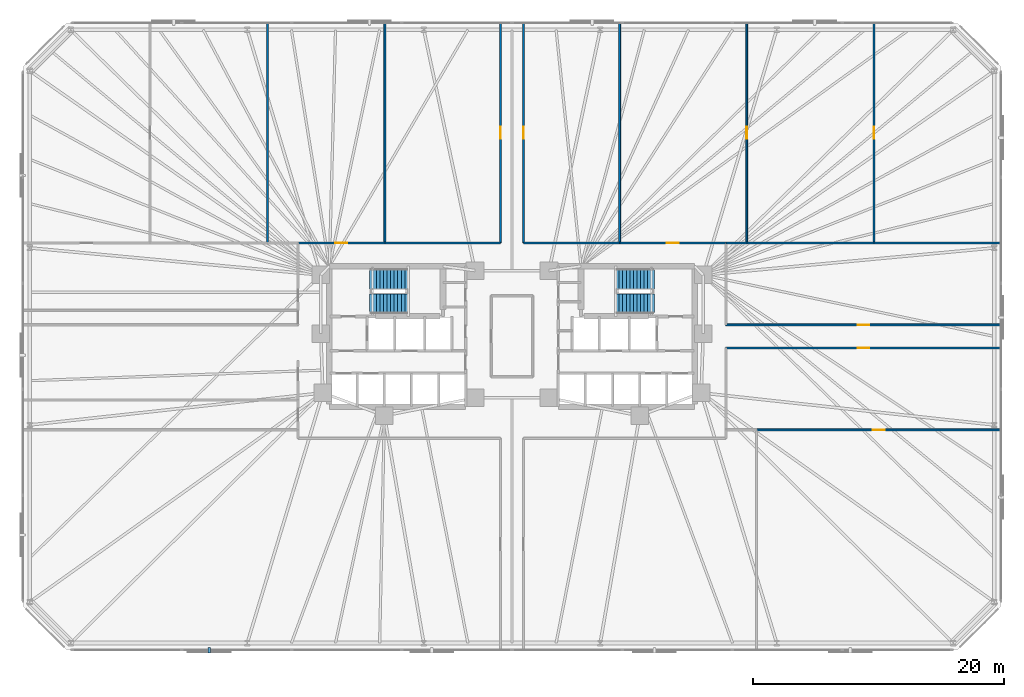
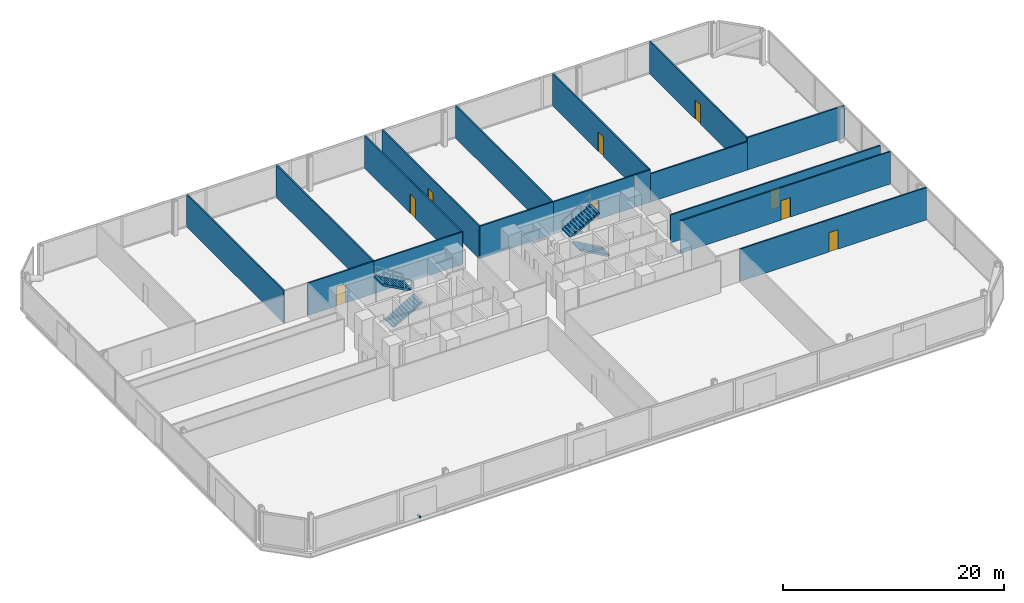
# One storey, part 14 of 16: 17 walls, 9 doors, 4 stair flights, 1 discrete accessory, 9 openings, 2 elements without a shape of their own.
"""IFC4 building model written with IfcOpenShell, lengths in metres."""

from ifc_helpers import new_model, si_unit, direction, frame, frame_2d, origin, origin_2d, place, context, subcontext, project, spatial, polyline, rectangle, outline, extrude, material, layer, layer_set, type_object, element, fill, aggregate, save


model = new_model("IFC4")

# Units and contexts
model_context = context("Model", 3, precision=1e-05, world=origin(), true_north=direction((0.0, 1.0)))
body_context = subcontext(model_context, "Body", "Model", "MODEL_VIEW")
ifc_project = project(units=[si_unit("LENGTHUNIT", "METRE"), si_unit("AREAUNIT", "SQUARE_METRE"), si_unit("VOLUMEUNIT", "CUBIC_METRE"), si_unit("PLANEANGLEUNIT", "RADIAN"), si_unit("MASSUNIT", "GRAM", prefix="KILO")], contexts=[model_context])

# Site, building, storey
site_placement = place(None, origin())
site = spatial("IfcSite", under=ifc_project, at=site_placement, CompositionType="ELEMENT")
building_placement = place(site_placement, origin())
building = spatial("IfcBuilding", under=site, at=building_placement, Name="Menara Jurai Vektor", CompositionType="ELEMENT")
storey_placement = place(building_placement, frame((0.0, 0.0, 33.199951171875)))
storey = spatial("IfcBuildingStorey", under=building, at=storey_placement, Name="L07", CompositionType="ELEMENT", Elevation=33.199951171875)

# Wall, opening, door
ifc_material_1 = material(Name="Gypsum Fireboard Partition", Category="gypsum")
ifc_layer_1 = layer(ifc_material_1, 0.14990234375)
ifc_layer_set_1 = layer_set([ifc_layer_1], Name="Gypsum Fireboard Partition")
wall_type_1 = type_object("IfcWallType", Name="INT-WALL-CORR-150", PredefinedType="PARTITIONING", material=ifc_layer_set_1)
wall_1_placement = place(storey_placement, frame((-17.05908203125, 7.449951171875, 0.0), z_axis=(0.0, 0.0, 1.0), x_axis=(1.0, 0.0, 0.0)))
wall_1 = element("IfcWall", 1, at=wall_1_placement, inside=storey, type_object=wall_type_1, Name="Interior Wall IW-150 L07", PredefinedType="PARTITIONING", context=body_context, shape_type="SweptSolid", body=[
    extrude(rectangle(XDim=6.919189453125, YDim=0.14990234375, at=frame_2d((3.45947265625, 0.0))), origin(), (0.0, 0.0, 1.0), 3.574951171875),
])
opening_1_placement = place(wall_1_placement, frame((2.984619140625, 0.0, 0.0)))
opening_1 = element("IfcOpeningElement", 2, at=opening_1_placement, cuts=wall_1, Name="Opening D07-07", PredefinedType="OPENING", context=body_context, shape_type="SweptSolid", body=[
    extrude(rectangle(XDim=0.949951171875, YDim=2.14990234375, at=frame_2d((0.47509765625, 1.074951171875))), frame((0.0, 0.0849609375, 0.0), z_axis=(0.0, -1.0, 0.0), x_axis=(1.0, 0.0, 0.0)), (0.0, 0.0, 1.0), 0.169921875),
])
ifc_material_2 = material(Name="Solid Core Timber Fire Door", Category="wood")
door_type = type_object("IfcDoorType", Name="DR-ENTRY-950", OperationType="NOTDEFINED", PredefinedType="DOOR", material=ifc_material_2)
door_1_placement = place(opening_1_placement, origin())
door_1 = element("IfcDoor", 3, at=door_1_placement, inside=storey, type_object=door_type, Name="Interior Door D07-07", OperationType="SINGLE_SWING_RIGHT", OverallHeight=2.14990234375, OverallWidth=0.949951171875, PredefinedType="DOOR", context=body_context, shape_type="SweptSolid", body=[
    extrude(rectangle(XDim=0.949951171875, YDim=2.14990234375, at=frame_2d((0.47509765625, 1.074951171875))), frame((0.0, 0.02490234375, 0.0), z_axis=(0.0, -1.0, 0.0), x_axis=(1.0, 0.0, 0.0)), (0.0, 0.0, 1.0), 0.050048828125),
])
fill(opening_1, door_1)

# Wall
wall_2_placement = place(storey_placement, frame((-10.139892578125, 7.449951171875, 0.0), z_axis=(0.0, 0.0, 1.0), x_axis=(1.0, 0.0, 0.0)))
element("IfcWall", 4, at=wall_2_placement, inside=storey, type_object=wall_type_1, Name="Interior Wall IW-150 L07", PredefinedType="PARTITIONING", context=body_context, shape_type="SweptSolid", body=[
    extrude(rectangle(XDim=9.219970703125, YDim=0.14990234375, at=frame_2d((4.60986328125, 0.0))), origin(), (0.0, 0.0, 1.0), 3.574951171875),
])

# Wall, opening, door
wall_3_placement = place(storey_placement, frame((-0.919921875, 7.449951171875, 0.0), z_axis=(0.0, 0.0, 1.0), x_axis=(0.0, 1.0, 0.0)))
wall_3 = element("IfcWall", 5, at=wall_3_placement, inside=storey, type_object=wall_type_1, Name="Interior Wall IW-150 L07", PredefinedType="PARTITIONING", context=body_context, shape_type="SweptSolid", body=[
    extrude(rectangle(XDim=17.550048828125, YDim=0.14990234375, at=frame_2d((8.77490234375, 0.0))), origin(), (0.0, 0.0, 1.0), 3.574951171875),
])
opening_2_placement = place(wall_3_placement, frame((8.300048828125, 0.0, 0.0)))
opening_2 = element("IfcOpeningElement", 6, at=opening_2_placement, cuts=wall_3, Name="Opening D07-08", PredefinedType="OPENING", context=body_context, shape_type="SweptSolid", body=[
    extrude(rectangle(XDim=0.949951171875, YDim=2.14990234375, at=frame_2d((0.47509765625, 1.074951171875))), frame((0.0, 0.0849609375, 0.0), z_axis=(0.0, -1.0, 0.0), x_axis=(1.0, 0.0, 0.0)), (0.0, 0.0, 1.0), 0.169921875),
])
door_2_placement = place(opening_2_placement, origin())
door_2 = element("IfcDoor", 7, at=door_2_placement, inside=storey, type_object=door_type, Name="Interior Door D07-08", OperationType="SINGLE_SWING_LEFT", OverallHeight=2.14990234375, OverallWidth=0.949951171875, PredefinedType="DOOR", context=body_context, shape_type="SweptSolid", body=[
    extrude(rectangle(XDim=0.949951171875, YDim=2.14990234375, at=frame_2d((0.47509765625, 1.074951171875))), frame((0.0, 0.02490234375, 0.0), z_axis=(0.0, -1.0, 0.0), x_axis=(1.0, 0.0, 0.0)), (0.0, 0.0, 1.0), 0.050048828125),
])
fill(opening_2, door_2)

wall_4_placement = place(storey_placement, frame((0.919921875, 7.449951171875, 0.0), z_axis=(0.0, 0.0, 1.0), x_axis=(0.0, 1.0, 0.0)))
wall_4 = element("IfcWall", 8, at=wall_4_placement, inside=storey, type_object=wall_type_1, Name="Interior Wall IW-150 L07", PredefinedType="PARTITIONING", context=body_context, shape_type="SweptSolid", body=[
    extrude(rectangle(XDim=17.550048828125, YDim=0.14990234375, at=frame_2d((8.77490234375, 0.0))), origin(), (0.0, 0.0, 1.0), 3.574951171875),
])
opening_3_placement = place(wall_4_placement, frame((8.300048828125, 0.0, 0.0)))
opening_3 = element("IfcOpeningElement", 9, at=opening_3_placement, cuts=wall_4, Name="Opening D07-09", PredefinedType="OPENING", context=body_context, shape_type="SweptSolid", body=[
    extrude(rectangle(XDim=0.949951171875, YDim=2.14990234375, at=frame_2d((0.47509765625, 1.074951171875))), frame((0.0, 0.0849609375, 0.0), z_axis=(0.0, -1.0, 0.0), x_axis=(1.0, 0.0, 0.0)), (0.0, 0.0, 1.0), 0.169921875),
])
door_3_placement = place(opening_3_placement, origin())
door_3 = element("IfcDoor", 10, at=door_3_placement, inside=storey, type_object=door_type, Name="Interior Door D07-09", OperationType="SINGLE_SWING_RIGHT", OverallHeight=2.14990234375, OverallWidth=0.949951171875, PredefinedType="DOOR", context=body_context, shape_type="SweptSolid", body=[
    extrude(rectangle(XDim=0.949951171875, YDim=2.14990234375, at=frame_2d((0.47509765625, 1.074951171875))), frame((0.0, 0.02490234375, 0.0), z_axis=(0.0, -1.0, 0.0), x_axis=(1.0, 0.0, 0.0)), (0.0, 0.0, 1.0), 0.050048828125),
])
fill(opening_3, door_3)

# Wall
wall_5_placement = place(storey_placement, frame((0.919921875, 7.449951171875, 0.0), z_axis=(0.0, 0.0, 1.0), x_axis=(1.0, 0.0, 0.0)))
element("IfcWall", 11, at=wall_5_placement, inside=storey, type_object=wall_type_1, Name="Interior Wall IW-150 L07", PredefinedType="PARTITIONING", context=body_context, shape_type="SweptSolid", body=[
    extrude(rectangle(XDim=7.66015625, YDim=0.14990234375, at=frame_2d((3.830078125, 0.0))), origin(), (0.0, 0.0, 1.0), 3.574951171875),
])

# Wall, opening, door
wall_6_placement = place(storey_placement, frame((8.580078125, 7.449951171875, 0.0), z_axis=(0.0, 0.0, 1.0), x_axis=(1.0, 0.0, 0.0)))
wall_6 = element("IfcWall", 12, at=wall_6_placement, inside=storey, type_object=wall_type_1, Name="Interior Wall IW-150 L07", PredefinedType="PARTITIONING", context=body_context, shape_type="SweptSolid", body=[
    extrude(rectangle(XDim=8.47900390625, YDim=0.14990234375, at=frame_2d((4.239501953125, 0.0))), origin(), (0.0, 0.0, 1.0), 3.574951171875),
])
opening_4_placement = place(wall_6_placement, frame((3.764404296875, 0.0, 0.0)))
opening_4 = element("IfcOpeningElement", 13, at=opening_4_placement, cuts=wall_6, Name="Opening D07-10", PredefinedType="OPENING", context=body_context, shape_type="SweptSolid", body=[
    extrude(rectangle(XDim=0.949951171875, YDim=2.14990234375, at=frame_2d((0.47509765625, 1.074951171875))), frame((0.0, 0.0849609375, 0.0), z_axis=(0.0, -1.0, 0.0), x_axis=(1.0, 0.0, 0.0)), (0.0, 0.0, 1.0), 0.169921875),
])
door_4_placement = place(opening_4_placement, origin())
door_4 = element("IfcDoor", 14, at=door_4_placement, inside=storey, type_object=door_type, Name="Interior Door D07-10", OperationType="SINGLE_SWING_LEFT", OverallHeight=2.14990234375, OverallWidth=0.949951171875, PredefinedType="DOOR", context=body_context, shape_type="SweptSolid", body=[
    extrude(rectangle(XDim=0.949951171875, YDim=2.14990234375, at=frame_2d((0.47509765625, 1.074951171875))), frame((0.0, 0.02490234375, 0.0), z_axis=(0.0, -1.0, 0.0), x_axis=(1.0, 0.0, 0.0)), (0.0, 0.0, 1.0), 0.050048828125),
])
fill(opening_4, door_4)

wall_7_placement = place(storey_placement, frame((17.05908203125, -0.919921875, 0.0), z_axis=(0.0, 0.0, 1.0), x_axis=(1.0, 0.0, 0.0)))
wall_7 = element("IfcWall", 15, at=wall_7_placement, inside=storey, type_object=wall_type_1, Name="Interior Wall IW-150 L07", PredefinedType="PARTITIONING", context=body_context, shape_type="SweptSolid", body=[
    extrude(rectangle(XDim=21.94091796875, YDim=0.14990234375, at=frame_2d((10.970458984375, 0.0))), origin(), (0.0, 0.0, 1.0), 3.574951171875),
])
opening_5_placement = place(wall_7_placement, frame((10.49560546875, 0.0, 0.0)))
opening_5 = element("IfcOpeningElement", 16, at=opening_5_placement, cuts=wall_7, Name="Opening D07-17", PredefinedType="OPENING", context=body_context, shape_type="SweptSolid", body=[
    extrude(rectangle(XDim=0.949951171875, YDim=2.14990234375, at=frame_2d((0.47509765625, 1.074951171875))), frame((0.0, 0.0849609375, 0.0), z_axis=(0.0, -1.0, 0.0), x_axis=(1.0, 0.0, 0.0)), (0.0, 0.0, 1.0), 0.169921875),
])
door_5_placement = place(opening_5_placement, origin())
door_5 = element("IfcDoor", 17, at=door_5_placement, inside=storey, type_object=door_type, Name="Interior Door D07-17", OperationType="SINGLE_SWING_RIGHT", OverallHeight=2.14990234375, OverallWidth=0.949951171875, PredefinedType="DOOR", context=body_context, shape_type="SweptSolid", body=[
    extrude(rectangle(XDim=0.949951171875, YDim=2.14990234375, at=frame_2d((0.47509765625, 1.074951171875))), frame((0.0, 0.02490234375, 0.0), z_axis=(0.0, -1.0, 0.0), x_axis=(1.0, 0.0, 0.0)), (0.0, 0.0, 1.0), 0.050048828125),
])
fill(opening_5, door_5)

# Walls
for number, where, z_axis, x_axis, name in (
    (18, (-19.5, 7.449951171875, 0.0), (0.0, 0.0, 1.0), (0.0, 1.0, 0.0), "Interior Wall IW-150 L07"),
    (19, (-10.139892578125, 7.449951171875, 0.0), (0.0, 0.0, 1.0), (0.0, 1.0, 0.0), "Interior Wall IW-150 L07"),
    (20, (8.580078125, 7.449951171875, 0.0), (0.0, 0.0, 1.0), (0.0, 1.0, 0.0), "Interior Wall IW-150 L07"),
):
    element("IfcWall", number, at=place(storey_placement, frame(where, z_axis=z_axis, x_axis=x_axis)), inside=storey, type_object=wall_type_1, Name=name, PredefinedType="PARTITIONING", context=body_context, shape_type="SweptSolid", body=[
        extrude(rectangle(XDim=17.550048828125, YDim=0.14990234375, at=frame_2d((8.77490234375, 0.0))), origin(), (0.0, 0.0, 1.0), 3.574951171875),
    ])

# Wall, opening, door
wall_8_placement = place(storey_placement, frame((18.719970703125, 7.449951171875, 0.0), z_axis=(0.0, 0.0, 1.0), x_axis=(0.0, 1.0, 0.0)))
wall_8 = element("IfcWall", 21, at=wall_8_placement, inside=storey, type_object=wall_type_1, Name="Interior Wall IW-150 L07", PredefinedType="PARTITIONING", context=body_context, shape_type="SweptSolid", body=[
    extrude(rectangle(XDim=17.550048828125, YDim=0.14990234375, at=frame_2d((8.77490234375, 0.0))), origin(), (0.0, 0.0, 1.0), 3.574951171875),
])
opening_6_placement = place(wall_8_placement, frame((8.300048828125, 0.0, 0.0)))
opening_6 = element("IfcOpeningElement", 22, at=opening_6_placement, cuts=wall_8, Name="Opening D07-21", PredefinedType="OPENING", context=body_context, shape_type="SweptSolid", body=[
    extrude(rectangle(XDim=0.949951171875, YDim=2.14990234375, at=frame_2d((0.47509765625, 1.074951171875))), frame((0.0, 0.0849609375, 0.0), z_axis=(0.0, -1.0, 0.0), x_axis=(1.0, 0.0, 0.0)), (0.0, 0.0, 1.0), 0.169921875),
])
door_6_placement = place(opening_6_placement, origin())
door_6 = element("IfcDoor", 23, at=door_6_placement, inside=storey, type_object=door_type, Name="Interior Door D07-21", OperationType="SINGLE_SWING_RIGHT", OverallHeight=2.14990234375, OverallWidth=0.949951171875, PredefinedType="DOOR", context=body_context, shape_type="SweptSolid", body=[
    extrude(rectangle(XDim=0.949951171875, YDim=2.14990234375, at=frame_2d((0.47509765625, 1.074951171875))), frame((0.0, 0.02490234375, 0.0), z_axis=(0.0, -1.0, 0.0), x_axis=(1.0, 0.0, 0.0)), (0.0, 0.0, 1.0), 0.050048828125),
])
fill(opening_6, door_6)

# Wall
wall_9_placement = place(storey_placement, frame((17.05908203125, 7.449951171875, 0.0), z_axis=(0.0, 0.0, 1.0), x_axis=(1.0, 0.0, 0.0)))
element("IfcWall", 24, at=wall_9_placement, inside=storey, type_object=wall_type_1, Name="Interior Wall IW-150 L07", PredefinedType="PARTITIONING", context=body_context, shape_type="SweptSolid", body=[
    extrude(rectangle(XDim=1.660888671875, YDim=0.14990234375, at=frame_2d((0.83056640625, 0.0))), origin(), (0.0, 0.0, 1.0), 3.574951171875),
])

# Wall, opening, door
wall_10_placement = place(storey_placement, frame((28.860107421875, 7.449951171875, 0.0), z_axis=(0.0, 0.0, 1.0), x_axis=(0.0, 1.0, 0.0)))
wall_10 = element("IfcWall", 25, at=wall_10_placement, inside=storey, type_object=wall_type_1, Name="Interior Wall IW-150 L07", PredefinedType="PARTITIONING", context=body_context, shape_type="SweptSolid", body=[
    extrude(rectangle(XDim=17.550048828125, YDim=0.14990234375, at=frame_2d((8.77490234375, 0.0))), origin(), (0.0, 0.0, 1.0), 3.574951171875),
])
opening_7_placement = place(wall_10_placement, frame((8.300048828125, 0.0, 0.0)))
opening_7 = element("IfcOpeningElement", 26, at=opening_7_placement, cuts=wall_10, Name="Opening D07-22", PredefinedType="OPENING", context=body_context, shape_type="SweptSolid", body=[
    extrude(rectangle(XDim=0.949951171875, YDim=2.14990234375, at=frame_2d((0.47509765625, 1.074951171875))), frame((0.0, 0.0849609375, 0.0), z_axis=(0.0, -1.0, 0.0), x_axis=(1.0, 0.0, 0.0)), (0.0, 0.0, 1.0), 0.169921875),
])
door_7_placement = place(opening_7_placement, origin())
door_7 = element("IfcDoor", 27, at=door_7_placement, inside=storey, type_object=door_type, Name="Interior Door D07-22", OperationType="SINGLE_SWING_LEFT", OverallHeight=2.14990234375, OverallWidth=0.949951171875, PredefinedType="DOOR", context=body_context, shape_type="SweptSolid", body=[
    extrude(rectangle(XDim=0.949951171875, YDim=2.14990234375, at=frame_2d((0.47509765625, 1.074951171875))), frame((0.0, 0.02490234375, 0.0), z_axis=(0.0, -1.0, 0.0), x_axis=(1.0, 0.0, 0.0)), (0.0, 0.0, 1.0), 0.050048828125),
])
fill(opening_7, door_7)

# Wall
wall_11_placement = place(storey_placement, frame((28.860107421875, 7.449951171875, 0.0), z_axis=(0.0, 0.0, 1.0), x_axis=(1.0, 0.0, 0.0)))
element("IfcWall", 28, at=wall_11_placement, inside=storey, type_object=wall_type_1, Name="Interior Wall IW-150 L07", PredefinedType="PARTITIONING", context=body_context, shape_type="SweptSolid", body=[
    extrude(rectangle(XDim=10.139892578125, YDim=0.14990234375, at=frame_2d((5.06982421875, 0.0))), origin(), (0.0, 0.0, 1.0), 3.574951171875),
])

# Wall, opening, door
wall_12_placement = place(storey_placement, frame((19.5, -7.449951171875, 0.0), z_axis=(0.0, 0.0, 1.0), x_axis=(1.0, 0.0, 0.0)))
wall_12 = element("IfcWall", 29, at=wall_12_placement, inside=storey, type_object=wall_type_1, Name="Interior Wall IW-150 L07", PredefinedType="PARTITIONING", context=body_context, shape_type="SweptSolid", body=[
    extrude(rectangle(XDim=19.5, YDim=0.14990234375, at=frame_2d((9.75, 0.0))), origin(), (0.0, 0.0, 1.0), 3.574951171875),
])
opening_8_placement = place(wall_12_placement, frame((9.27490234375, 0.0, 0.0)))
opening_8 = element("IfcOpeningElement", 30, at=opening_8_placement, cuts=wall_12, Name="Opening D07-23", PredefinedType="OPENING", context=body_context, shape_type="SweptSolid", body=[
    extrude(rectangle(XDim=0.949951171875, YDim=2.14990234375, at=frame_2d((0.47509765625, 1.074951171875))), frame((0.0, 0.0849609375, 0.0), z_axis=(0.0, -1.0, 0.0), x_axis=(1.0, 0.0, 0.0)), (0.0, 0.0, 1.0), 0.169921875),
])
door_8_placement = place(opening_8_placement, origin())
door_8 = element("IfcDoor", 31, at=door_8_placement, inside=storey, type_object=door_type, Name="Interior Door D07-23", OperationType="SINGLE_SWING_RIGHT", OverallHeight=2.14990234375, OverallWidth=0.949951171875, PredefinedType="DOOR", context=body_context, shape_type="SweptSolid", body=[
    extrude(rectangle(XDim=0.949951171875, YDim=2.14990234375, at=frame_2d((0.47509765625, 1.074951171875))), frame((0.0, 0.02490234375, 0.0), z_axis=(0.0, -1.0, 0.0), x_axis=(1.0, 0.0, 0.0)), (0.0, 0.0, 1.0), 0.050048828125),
])
fill(opening_8, door_8)

ifc_layer_2 = layer(ifc_material_1, 0.14990234375)
ifc_layer_set_2 = layer_set([ifc_layer_2], Name="Gypsum Fireboard Partition")
wall_type_2 = type_object("IfcWallType", Name="INT-WALL-CORR-150-H1", PredefinedType="PARTITIONING", material=ifc_layer_set_2)
wall_13_placement = place(storey_placement, frame((17.05908203125, 0.919921875, 0.0), z_axis=(0.0, 0.0, 1.0), x_axis=(1.0, 0.0, 0.0)))
wall_13 = element("IfcWall", 32, at=wall_13_placement, inside=storey, type_object=wall_type_2, Name="Interior Wall IW-150 L07", PredefinedType="PARTITIONING", context=body_context, shape_type="SweptSolid", body=[
    extrude(rectangle(XDim=21.94091796875, YDim=0.14990234375, at=frame_2d((10.970458984375, 0.0))), origin(), (0.0, 0.0, 1.0), 3.125),
])
opening_9_placement = place(wall_13_placement, frame((10.49560546875, 0.0, 0.0)))
opening_9 = element("IfcOpeningElement", 33, at=opening_9_placement, cuts=wall_13, Name="Opening D07-18", PredefinedType="OPENING", context=body_context, shape_type="SweptSolid", body=[
    extrude(rectangle(XDim=0.949951171875, YDim=2.14990234375, at=frame_2d((0.47509765625, 1.074951171875))), frame((0.0, 0.0849609375, 0.0), z_axis=(0.0, -1.0, 0.0), x_axis=(1.0, 0.0, 0.0)), (0.0, 0.0, 1.0), 0.169921875),
])
door_9_placement = place(opening_9_placement, origin())
door_9 = element("IfcDoor", 34, at=door_9_placement, inside=storey, type_object=door_type, Name="Interior Door D07-18", OperationType="SINGLE_SWING_LEFT", OverallHeight=2.14990234375, OverallWidth=0.949951171875, PredefinedType="DOOR", context=body_context, shape_type="SweptSolid", body=[
    extrude(rectangle(XDim=0.949951171875, YDim=2.14990234375, at=frame_2d((0.47509765625, 1.074951171875))), frame((0.0, 0.02490234375, 0.0), z_axis=(0.0, -1.0, 0.0), x_axis=(1.0, 0.0, 0.0)), (0.0, 0.0, 1.0), 0.050048828125),
])
fill(opening_9, door_9)

# Wall
wall_14_placement = place(storey_placement, frame((18.719970703125, 7.449951171875, 0.0), z_axis=(0.0, 0.0, 1.0), x_axis=(1.0, 0.0, 0.0)))
element("IfcWall", 35, at=wall_14_placement, inside=storey, type_object=wall_type_2, Name="Interior Wall IW-150 L07", PredefinedType="PARTITIONING", context=body_context, shape_type="SweptSolid", body=[
    extrude(rectangle(XDim=10.14013671875, YDim=0.14990234375, at=frame_2d((5.070068359375, 0.0))), origin(), (0.0, 0.0, 1.0), 3.125),
])

# Stair, stair flights
ifc_material_3 = material(Name="Concrete C40/50", Category="concrete")
stair_type = type_object("IfcStairType", Name="STAIR-DOGLEG-1500", PredefinedType="HALF_TURN_STAIR", material=ifc_material_3)
stair_1_placement = place(storey_placement, origin())
stair_1 = element("IfcStair", 36, at=stair_1_placement, inside=storey, type_object=stair_type, Name="Protected Exit Stair ST1 L07", PredefinedType="HALF_TURN_STAIR")
stair_flight_type = type_object("IfcStairFlightType", Name="STAIR-FLIGHT-1500", PredefinedType="STRAIGHT", material=ifc_material_3)
stair_flight_1_placement = place(storey_placement, frame((-11.35009765625, 2.64990234375, 0.0), z_axis=(0.0, 0.0, 1.0), x_axis=(1.0, 0.0, 0.0)))
stair_flight_1 = element("IfcStairFlight", 37, at=stair_flight_1_placement, type_object=stair_flight_type, Name="ST1 flight 1", NumberOfRisers=12, NumberOfTreads=11, PredefinedType="STRAIGHT", RiserHeight=0.158333, TreadLength=0.28, context=body_context, shape_type="SweptSolid", body=[
    extrude(outline(polyline([(0.0, 0.0), (0.0, 0.158447265625), (0.280029296875, 0.158447265625), (0.280029296875, 0.316650390625), (0.56005859375, 0.316650390625), (0.56005859375, 0.47509765625), (0.840087890625, 0.47509765625), (0.840087890625, 0.63330078125), (1.1201171875, 0.63330078125), (1.1201171875, 0.791748046875), (1.39990234375, 0.791748046875), (1.39990234375, 0.949951171875), (1.679931640625, 0.949951171875), (1.679931640625, 1.1083984375), (1.9599609375, 1.1083984375), (1.9599609375, 1.2666015625), (2.239990234375, 1.2666015625), (2.239990234375, 1.425048828125), (2.52001953125, 1.425048828125), (2.52001953125, 1.583251953125), (2.800048828125, 1.583251953125), (2.800048828125, 1.74169921875), (3.080078125, 1.74169921875), (3.080078125, 1.89990234375), (3.080078125, 1.557861328125), (0.324951171875, 0.0), (0.0, 0.0)])), frame((0.0, 0.75, 0.0), z_axis=(0.0, -1.0, 0.0), x_axis=(1.0, 0.0, 0.0)), (0.0, 0.0, 1.0), 1.5),
])
stair_flight_2_placement = place(storey_placement, frame((-8.27001953125, 4.550048828125, 1.900146484375), z_axis=(0.0, 0.0, 1.0), x_axis=(-1.0, 0.0, 0.0)))
stair_flight_2 = element("IfcStairFlight", 38, at=stair_flight_2_placement, type_object=stair_flight_type, Name="ST1 flight 2", NumberOfRisers=12, NumberOfTreads=11, PredefinedType="STRAIGHT", RiserHeight=0.158333, TreadLength=0.28, context=body_context, shape_type="SweptSolid", body=[
    extrude(outline(polyline([(0.0, 0.0), (0.0, 0.158447265625), (0.280029296875, 0.158447265625), (0.280029296875, 0.316650390625), (0.56005859375, 0.316650390625), (0.56005859375, 0.47509765625), (0.840087890625, 0.47509765625), (0.840087890625, 0.63330078125), (1.1201171875, 0.63330078125), (1.1201171875, 0.791748046875), (1.39990234375, 0.791748046875), (1.39990234375, 0.949951171875), (1.679931640625, 0.949951171875), (1.679931640625, 1.1083984375), (1.9599609375, 1.1083984375), (1.9599609375, 1.2666015625), (2.239990234375, 1.2666015625), (2.239990234375, 1.425048828125), (2.52001953125, 1.425048828125), (2.52001953125, 1.583251953125), (2.800048828125, 1.583251953125), (2.800048828125, 1.74169921875), (3.080078125, 1.74169921875), (3.080078125, 1.89990234375), (3.080078125, 1.557861328125), (0.324951171875, 0.0), (0.0, 0.0)])), frame((0.0, 0.75, 0.0), z_axis=(0.0, -1.0, 0.0), x_axis=(1.0, 0.0, 0.0)), (0.0, 0.0, 1.0), 1.5),
])
aggregate(stair_1, [stair_flight_1, stair_flight_2])

stair_2_placement = place(storey_placement, origin())
stair_2 = element("IfcStair", 39, at=stair_2_placement, inside=storey, type_object=stair_type, Name="Protected Exit Stair ST2 L07", PredefinedType="HALF_TURN_STAIR")
stair_flight_3_placement = place(storey_placement, frame((11.35009765625, 2.64990234375, 0.0), z_axis=(0.0, 0.0, 1.0), x_axis=(-1.0, 0.0, 0.0)))
stair_flight_3 = element("IfcStairFlight", 40, at=stair_flight_3_placement, type_object=stair_flight_type, Name="ST2 flight 1", NumberOfRisers=12, NumberOfTreads=11, PredefinedType="STRAIGHT", RiserHeight=0.158333, TreadLength=0.28, context=body_context, shape_type="SweptSolid", body=[
    extrude(outline(polyline([(0.0, 0.0), (0.0, 0.158447265625), (0.280029296875, 0.158447265625), (0.280029296875, 0.316650390625), (0.56005859375, 0.316650390625), (0.56005859375, 0.47509765625), (0.840087890625, 0.47509765625), (0.840087890625, 0.63330078125), (1.1201171875, 0.63330078125), (1.1201171875, 0.791748046875), (1.39990234375, 0.791748046875), (1.39990234375, 0.949951171875), (1.679931640625, 0.949951171875), (1.679931640625, 1.1083984375), (1.9599609375, 1.1083984375), (1.9599609375, 1.2666015625), (2.239990234375, 1.2666015625), (2.239990234375, 1.425048828125), (2.52001953125, 1.425048828125), (2.52001953125, 1.583251953125), (2.800048828125, 1.583251953125), (2.800048828125, 1.74169921875), (3.080078125, 1.74169921875), (3.080078125, 1.89990234375), (3.080078125, 1.557861328125), (0.324951171875, 0.0), (0.0, 0.0)])), frame((0.0, 0.75, 0.0), z_axis=(0.0, -1.0, 0.0), x_axis=(1.0, 0.0, 0.0)), (0.0, 0.0, 1.0), 1.5),
])
stair_flight_4_placement = place(storey_placement, frame((8.27001953125, 4.550048828125, 1.900146484375), z_axis=(0.0, 0.0, 1.0), x_axis=(1.0, 0.0, 0.0)))
stair_flight_4 = element("IfcStairFlight", 41, at=stair_flight_4_placement, type_object=stair_flight_type, Name="ST2 flight 2", NumberOfRisers=12, NumberOfTreads=11, PredefinedType="STRAIGHT", RiserHeight=0.158333, TreadLength=0.28, context=body_context, shape_type="SweptSolid", body=[
    extrude(outline(polyline([(0.0, 0.0), (0.0, 0.158447265625), (0.280029296875, 0.158447265625), (0.280029296875, 0.316650390625), (0.56005859375, 0.316650390625), (0.56005859375, 0.47509765625), (0.840087890625, 0.47509765625), (0.840087890625, 0.63330078125), (1.1201171875, 0.63330078125), (1.1201171875, 0.791748046875), (1.39990234375, 0.791748046875), (1.39990234375, 0.949951171875), (1.679931640625, 0.949951171875), (1.679931640625, 1.1083984375), (1.9599609375, 1.1083984375), (1.9599609375, 1.2666015625), (2.239990234375, 1.2666015625), (2.239990234375, 1.425048828125), (2.52001953125, 1.425048828125), (2.52001953125, 1.583251953125), (2.800048828125, 1.583251953125), (2.800048828125, 1.74169921875), (3.080078125, 1.74169921875), (3.080078125, 1.89990234375), (3.080078125, 1.557861328125), (0.324951171875, 0.0), (0.0, 0.0)])), frame((0.0, 0.75, 0.0), z_axis=(0.0, -1.0, 0.0), x_axis=(1.0, 0.0, 0.0)), (0.0, 0.0, 1.0), 1.5),
])
aggregate(stair_2, [stair_flight_3, stair_flight_4])

# Discrete accessory
ifc_material_4 = material(Name="Steel S355", Category="steel")
discrete_accessory_type = type_object("IfcDiscreteAccessoryType", Name="ENV-ACC-BRACKET", PredefinedType="BRACKET", material=ifc_material_4)
discrete_accessory_placement = place(storey_placement, frame((-24.139892578125, -25.010009765625, -0.1298828125), z_axis=(0.0, 0.0, 1.0), x_axis=(1.0, 0.0, 0.0)))
element("IfcDiscreteAccessory", 42, at=discrete_accessory_placement, inside=storey, type_object=discrete_accessory_type, Name="Solar Screen Stand-Off Bracket L07-S01", PredefinedType="BRACKET", context=body_context, shape_type="SweptSolid", body=[
    extrude(rectangle(XDim=0.179931640625, YDim=0.43994140625, at=origin_2d()), origin(), (0.0, 0.0, 1.0), 0.219970703125),
])

save(model, "model.ifc")
